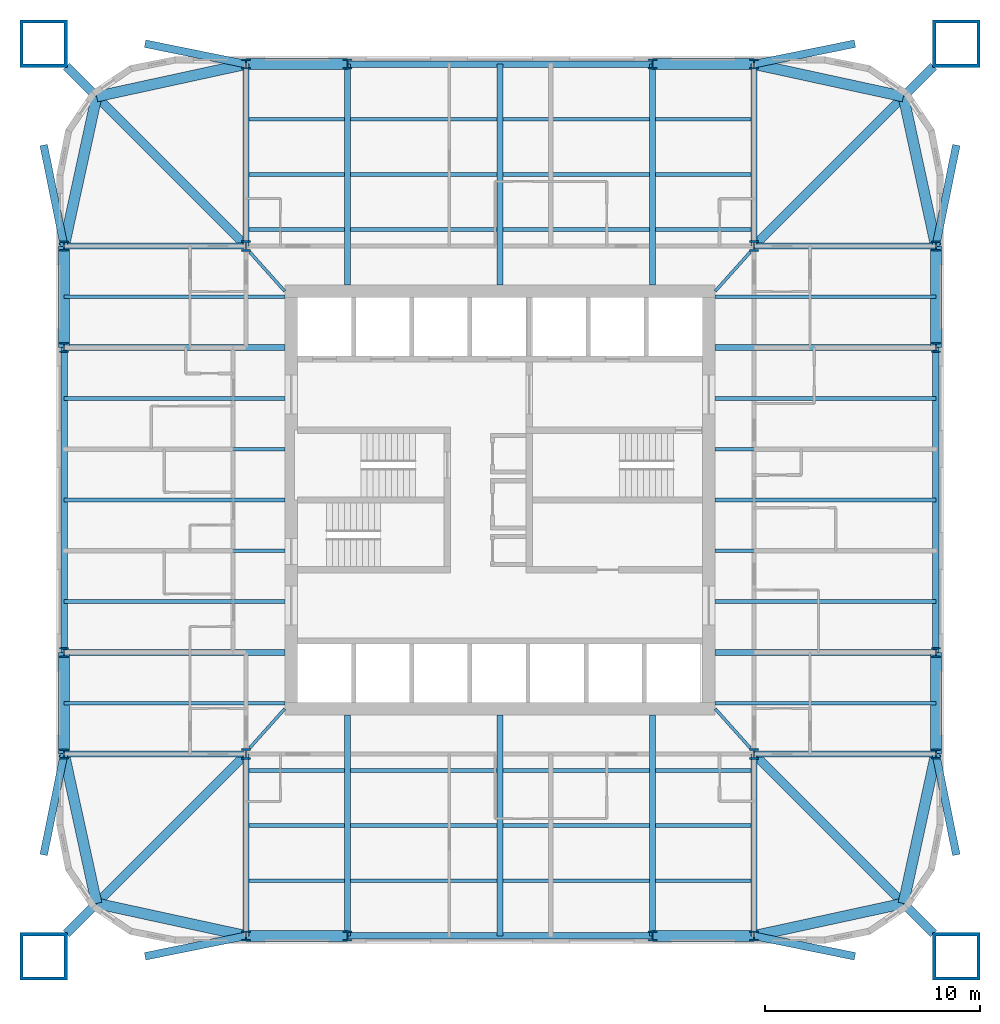
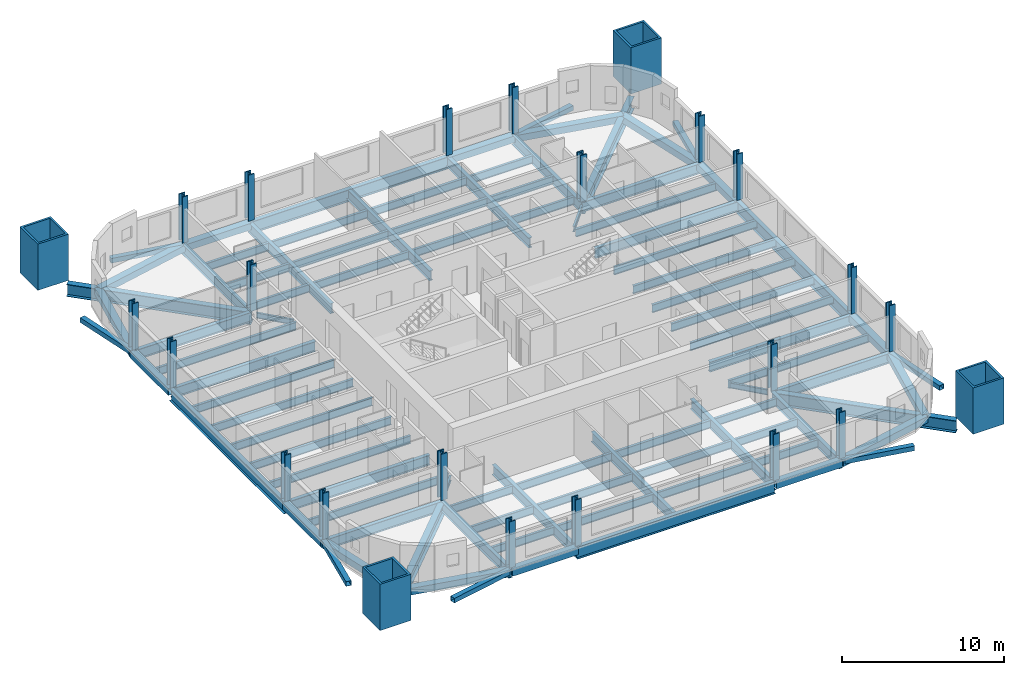
# One storey, part 1 of 9: 92 beams, 24 columns.
"""IFC4 building model written with IfcOpenShell, lengths in metres."""

import ifcopenshell
import ifcopenshell.guid

model = None  # the IFC model being written
_history = None  # IfcOwnerHistory: only IFC2X3 demands one
_inside = {}  # id of a spatial element -> (the spatial element, [elements in it])
_under = {}  # id of a project, library or spatial element -> (it, [spatial elements below it])
_declared = {}  # id of a project -> (the project, [libraries it declares])
_typed = {}  # id of a type object -> (the type object, [elements of that type])
_made_of = {}  # id of a material, layer set ... -> (it, [elements and type objects made of it])


def new_model(schema):
    """Start an empty IFC model of exactly this schema.

    Asked for "IFC4X3", IfcOpenShell would pick the latest addendum, in which some entities
    have other attributes; the version numbers below select the first issue.
    IFC2X3 requires an IfcOwnerHistory on every rooted entity: one is made here for all.
    """
    global model, _history
    if schema == "IFC4X3":
        model = ifcopenshell.file(schema_version=(4, 3, 0, 0))
    else:
        model = ifcopenshell.file(schema=schema)
    _inside.clear()
    _under.clear()
    _declared.clear()
    _typed.clear()
    _made_of.clear()
    _history = None
    if model.schema == "IFC2X3":
        org = make("IfcOrganization", Name="unknown")
        user = make(
            "IfcPersonAndOrganization",
            ThePerson=make("IfcPerson", FamilyName="unknown"),
            TheOrganization=org,
        )
        app = make(
            "IfcApplication",
            ApplicationDeveloper=org,
            Version="unknown",
            ApplicationFullName="unknown",
            ApplicationIdentifier="unknown",
        )
        _history = make(
            "IfcOwnerHistory",
            OwningUser=user,
            OwningApplication=app,
            ChangeAction="ADDED",
            CreationDate=0,
        )
    return model


def make(cls, **values):
    """One entity of the class cls with the attributes given. An attribute that is None is left unset."""
    return model.create_entity(
        cls, **{name: value for name, value in values.items() if value is not None}
    )


def rooted(cls, **values):
    """An entity with a GlobalId (a new one), such as an element, a storey or a relation."""
    return make(cls, GlobalId=ifcopenshell.guid.new(), OwnerHistory=_history, **values)


def si_unit(unit_type, name, prefix=None):
    """IfcSIUnit, for example si_unit("LENGTHUNIT", "METRE", prefix="MILLI")."""
    return make("IfcSIUnit", UnitType=unit_type, Prefix=prefix, Name=name)


def assignment(units):
    """IfcUnitAssignment: the units of a project."""
    return None if units is None else make("IfcUnitAssignment", Units=units)


def point(xyz):
    """IfcCartesianPoint."""
    return None if xyz is None else make("IfcCartesianPoint", Coordinates=xyz)


def direction(xyz):
    """IfcDirection."""
    return None if xyz is None else make("IfcDirection", DirectionRatios=xyz)


def frame(location, z_axis=None, x_axis=None):
    """IfcAxis2Placement3D, a coordinate frame: its origin and axes. An axis left out is left unset."""
    return make(
        "IfcAxis2Placement3D",
        Location=point(location),
        Axis=direction(z_axis),
        RefDirection=direction(x_axis),
    )


def frame_2d(location, x_axis=None):
    """IfcAxis2Placement2D, a coordinate frame in the plane: its origin and x axis."""
    return make(
        "IfcAxis2Placement2D", Location=point(location), RefDirection=direction(x_axis)
    )


def origin():
    """The frame at (0, 0, 0) with its axes left unset."""
    return frame((0.0, 0.0, 0.0))


def origin_2d():
    """The frame at (0, 0) in the plane with its x axis left unset."""
    return frame_2d((0.0, 0.0))


def place(relative_to, where):
    """IfcLocalPlacement: puts the frame where relative to a parent placement (None: the world)."""
    return make(
        "IfcLocalPlacement", PlacementRelTo=relative_to, RelativePlacement=where
    )


def context(
    kind, dimensions, precision=None, world=None, true_north=None, identifier=None
):
    """IfcGeometricRepresentationContext, for example the 3D "Model" context."""
    return make(
        "IfcGeometricRepresentationContext",
        ContextIdentifier=identifier,
        ContextType=kind,
        CoordinateSpaceDimension=dimensions,
        Precision=precision,
        WorldCoordinateSystem=world,
        TrueNorth=true_north,
    )


def subcontext(parent, identifier, kind, view, scale=None):
    """IfcGeometricRepresentationSubContext, for example "Body" below "Model"."""
    return make(
        "IfcGeometricRepresentationSubContext",
        ContextIdentifier=identifier,
        ContextType=kind,
        ParentContext=parent,
        TargetScale=scale,
        TargetView=view,
    )


def project(units=None, contexts=None):
    """IfcProject with its units and contexts."""
    return rooted(
        "IfcProject",
        Name="project",
        RepresentationContexts=contexts,
        UnitsInContext=assignment(units),
    )


def spatial(cls, under=None, at=None, **own):
    """A site, building, storey or space (cls), placed at a placement, below another one or the project."""
    s = rooted(cls, ObjectPlacement=at, **own)
    if under is not None:
        _under.setdefault(under.id(), (under, []))[1].append(s)
    return s


def profile(cls, at=None, kind="AREA", **sizes):
    """A parametric profile (cls). Its sizes go by their IFC names, for example OverallWidth=200.0."""
    return make(cls, ProfileType=kind, Position=at, **sizes)


def hollow_rectangle(**sizes):
    """IfcRectangleHollowProfileDef."""
    return profile("IfcRectangleHollowProfileDef", **sizes)


def i_section(**sizes):
    """IfcIShapeProfileDef."""
    return profile("IfcIShapeProfileDef", **sizes)


def extrude(swept, where, along, depth):
    """IfcExtrudedAreaSolid: the profile swept, set in the frame where, extruded along a direction by depth."""
    return make(
        "IfcExtrudedAreaSolid",
        SweptArea=swept,
        Position=where,
        ExtrudedDirection=direction(along),
        Depth=depth,
    )


def shape(context_of_items, identifier, shape_type, items):
    """IfcShapeRepresentation: the items that make up one representation, for example the "Body"."""
    return make(
        "IfcShapeRepresentation",
        ContextOfItems=context_of_items,
        RepresentationIdentifier=identifier,
        RepresentationType=shape_type,
        Items=items,
    )


def material(Name=None, Category=None):
    """IfcMaterial."""
    return make("IfcMaterial", Name=Name, Category=Category)


def material_profile(
    of_material, cross_section, Name=None, Category=None, Priority=None
):
    """IfcMaterialProfile: a cross section and its material."""
    return make(
        "IfcMaterialProfile",
        Name=Name,
        Material=of_material,
        Profile=cross_section,
        Priority=Priority,
        Category=Category,
    )


def profile_set(profiles, Name=None, composite=None):
    """IfcMaterialProfileSet."""
    return make(
        "IfcMaterialProfileSet",
        Name=Name,
        MaterialProfiles=profiles,
        CompositeProfile=composite,
    )


def made_of(thing, what):
    """Note that an element or type object is made of a material, layer set ...; save() writes the relation."""
    if what is not None:
        _made_of.setdefault(what.id(), (what, []))[1].append(thing)
    return thing


def type_object(cls, material=None, **own):
    """A type object (cls), such as IfcWallType, which elements share."""
    return made_of(rooted(cls, **own), material)


def element(
    cls,
    number,
    at=None,
    inside=None,
    cuts=None,
    type_object=None,
    material=None,
    context=None,
    identifier="Body",
    shape_type=None,
    held_by="IfcProductDefinitionShape",
    body=None,
    shapes=None,
    **own,
):
    """One element of the class cls, such as IfcWall. Its Tag is "e" and its number.

    at: its placement. inside: the storey or other place that contains it. cuts: it is an
    opening in that element (IfcRelVoidsElement). A single representation is given by context,
    identifier, shape_type and body (its items); several are given by shapes. held_by: the class
    of the entity that holds the representations. save() writes the other relations.
    """
    e = rooted(cls, Tag="e%d" % number, ObjectPlacement=at, **own)
    if body is not None:
        shapes = [shape(context, identifier, shape_type, body)]
    if shapes is not None:
        e.Representation = make(held_by, Representations=shapes)
    if inside is not None:
        _inside.setdefault(inside.id(), (inside, []))[1].append(e)
    if cuts is not None:
        rooted(
            "IfcRelVoidsElement", RelatingBuildingElement=cuts, RelatedOpeningElement=e
        )
    if type_object is not None:
        _typed.setdefault(type_object.id(), (type_object, []))[1].append(e)
    return made_of(e, material)


def aggregate(whole, parts):
    """IfcRelAggregates: a whole, such as a stair, and the parts it consists of."""
    return rooted("IfcRelAggregates", RelatingObject=whole, RelatedObjects=parts)


def save(model, path):
    """Write the relations noted so far, then the file.

    IfcRelAggregates (storeys below a building ...), IfcRelContainedInSpatialStructure (elements
    in a storey), IfcRelDefinesByType, IfcRelAssociatesMaterial and IfcRelDeclares: one each for
    every whole, place, type object, material and project.
    """
    for whole, parts in _under.values():
        aggregate(whole, parts)
    for where, things in _inside.values():
        rooted(
            "IfcRelContainedInSpatialStructure",
            RelatedElements=things,
            RelatingStructure=where,
        )
    for kind, things in _typed.values():
        rooted("IfcRelDefinesByType", RelatedObjects=things, RelatingType=kind)
    for what, things in _made_of.values():
        rooted("IfcRelAssociatesMaterial", RelatedObjects=things, RelatingMaterial=what)
    for by, libraries in _declared.values():
        rooted("IfcRelDeclares", RelatingContext=by, RelatedDefinitions=libraries)
    model.write(path)


model = new_model("IFC4")

# Units and contexts
model_context = context("Model", 3, precision=1e-05, world=origin(), true_north=direction((0.0, 1.0)))
body_context = subcontext(model_context, "Body", "Model", "MODEL_VIEW")
ifc_project = project(units=[si_unit("LENGTHUNIT", "METRE"), si_unit("AREAUNIT", "SQUARE_METRE"), si_unit("VOLUMEUNIT", "CUBIC_METRE"), si_unit("PLANEANGLEUNIT", "RADIAN"), si_unit("MASSUNIT", "GRAM", prefix="KILO")], contexts=[model_context])

# Site, building, storey
site_placement = place(None, origin())
site = spatial("IfcSite", under=ifc_project, at=site_placement, CompositionType="ELEMENT")
building_placement = place(site_placement, origin())
building = spatial("IfcBuilding", under=site, at=building_placement, Name="Turquesa Mirador Hotel Tower", CompositionType="ELEMENT")
storey_placement = place(building_placement, frame((0.0, 0.0, 149.39990234375)))
storey = spatial("IfcBuildingStorey", under=building, at=storey_placement, Name="L40", CompositionType="ELEMENT", Elevation=149.39990234375)

# Columns
ifc_material_1 = material(Name="Steel ASTM A992 Grade 50", Category="steel")
ifc_material_profile_1 = material_profile(ifc_material_1, i_section(OverallWidth=0.421630859375, OverallDepth=0.46484375, WebThickness=0.044921875, FlangeThickness=0.072509765625, at=origin_2d()), Name="W14X398")
ifc_profile_set_1 = profile_set([ifc_material_profile_1], Name="Steel ASTM A992 Grade 50")
column_type_1 = type_object("IfcColumnType", Name="COLUMN W14X398", PredefinedType="COLUMN", material=ifc_profile_set_1)
for number, where, z_axis, x_axis, name in (
    (1, (34.75, 33.199951171875, 0.0), (0.0, 0.0, 1.0), (1.0, 0.0, 0.0), "COL-L40-P--20.25--11.80"),
    (2, (34.75, 37.919921875, 0.0), (0.0, 0.0, 1.0), (1.0, 0.0, 0.0), "COL-L40-P--20.25--7.08"),
    (3, (34.75, 52.080078125, 0.0), (0.0, 0.0, 1.0), (1.0, 0.0, 0.0), "COL-L40-P--20.25-+7.08"),
    (4, (34.75, 56.800048828125, 0.0), (0.0, 0.0, 1.0), (1.0, 0.0, 0.0), "COL-L40-P--20.25-+11.80"),
    (5, (43.199951171875, 24.75, 0.0), (0.0, 0.0, 1.0), (1.0, 0.0, 0.0), "COL-L40-P--11.80--20.25"),
    (6, (43.199951171875, 65.25, 0.0), (0.0, 0.0, 1.0), (1.0, 0.0, 0.0), "COL-L40-P--11.80-+20.25"),
    (7, (47.919921875, 24.75, 0.0), (0.0, 0.0, 1.0), (1.0, 0.0, 0.0), "COL-L40-P--7.08--20.25"),
    (8, (47.919921875, 65.25, 0.0), (0.0, 0.0, 1.0), (1.0, 0.0, 0.0), "COL-L40-P--7.08-+20.25"),
    (9, (62.080078125, 24.75, 0.0), (0.0, 0.0, 1.0), (1.0, 0.0, 0.0), "COL-L40-P-+7.08--20.25"),
    (10, (62.080078125, 65.25, 0.0), (0.0, 0.0, 1.0), (1.0, 0.0, 0.0), "COL-L40-P-+7.08-+20.25"),
    (11, (66.800048828125, 24.75, 0.0), (0.0, 0.0, 1.0), (1.0, 0.0, 0.0), "COL-L40-P-+11.80--20.25"),
    (12, (66.800048828125, 65.25, 0.0), (0.0, 0.0, 1.0), (1.0, 0.0, 0.0), "COL-L40-P-+11.80-+20.25"),
    (13, (75.25, 33.199951171875, 0.0), (0.0, 0.0, 1.0), (1.0, 0.0, 0.0), "COL-L40-P-+20.25--11.80"),
    (14, (75.25, 37.919921875, 0.0), (0.0, 0.0, 1.0), (1.0, 0.0, 0.0), "COL-L40-P-+20.25--7.08"),
    (15, (75.25, 52.080078125, 0.0), (0.0, 0.0, 1.0), (1.0, 0.0, 0.0), "COL-L40-P-+20.25-+7.08"),
    (16, (75.25, 56.800048828125, 0.0), (0.0, 0.0, 1.0), (1.0, 0.0, 0.0), "COL-L40-P-+20.25-+11.80"),
):
    element("IfcColumn", number, at=place(storey_placement, frame(where, z_axis=z_axis, x_axis=x_axis)), inside=storey, type_object=column_type_1, Name=name, PredefinedType="COLUMN", context=body_context, shape_type="SweptSolid", body=[
        extrude(i_section(OverallWidth=0.421630859375, OverallDepth=0.46484375, WebThickness=0.044921875, FlangeThickness=0.072509765625, at=origin_2d()), origin(), (0.0, 0.0, 1.0), 3.5),
    ])
ifc_material_2 = material(Name="Steel ASTM A992 Grade 50", Category="steel")
ifc_material_profile_2 = material_profile(ifc_material_2, i_section(OverallWidth=0.431884765625, OverallDepth=0.497802734375, WebThickness=0.0556640625, FlangeThickness=0.0888671875, at=origin_2d()), Name="W14X500")
ifc_profile_set_2 = profile_set([ifc_material_profile_2], Name="Steel ASTM A992 Grade 50")
column_type_2 = type_object("IfcColumnType", Name="COLUMN W14X500", PredefinedType="COLUMN", material=ifc_profile_set_2)
for number, where, z_axis, x_axis, name in (
    (17, (43.199951171875, 33.199951171875, 0.0), (0.0, 0.0, 1.0), (1.0, 0.0, 0.0), "COL-L40-K--11.80--11.80"),
    (18, (43.199951171875, 56.800048828125, 0.0), (0.0, 0.0, 1.0), (1.0, 0.0, 0.0), "COL-L40-K--11.80-+11.80"),
    (19, (66.800048828125, 33.199951171875, 0.0), (0.0, 0.0, 1.0), (1.0, 0.0, 0.0), "COL-L40-K-+11.80--11.80"),
    (20, (66.800048828125, 56.800048828125, 0.0), (0.0, 0.0, 1.0), (1.0, 0.0, 0.0), "COL-L40-K-+11.80-+11.80"),
):
    element("IfcColumn", number, at=place(storey_placement, frame(where, z_axis=z_axis, x_axis=x_axis)), inside=storey, type_object=column_type_2, Name=name, PredefinedType="COLUMN", context=body_context, shape_type="SweptSolid", body=[
        extrude(i_section(OverallWidth=0.431884765625, OverallDepth=0.497802734375, WebThickness=0.0556640625, FlangeThickness=0.0888671875, at=origin_2d()), origin(), (0.0, 0.0, 1.0), 3.5),
    ])
ifc_material_3 = material(Name="Steel ASTM A514 Grade Q", Category="steel")
ifc_material_profile_3 = material_profile(ifc_material_3, hollow_rectangle(XDim=2.199951171875, YDim=2.199951171875, WallThickness=0.14990234375, at=origin_2d()), Name="BOX2200X2200X150")
ifc_profile_set_3 = profile_set([ifc_material_profile_3], Name="Steel ASTM A514 Grade Q")
column_type_3 = type_object("IfcColumnType", Name="MEGA COLUMN BOX2200X2200X150", PredefinedType="COLUMN", material=ifc_profile_set_3)
for number, where, z_axis, x_axis, name in (
    (21, (76.199951171875, 66.199951171875, 0.0), (0.0, 0.0, 1.0), (1.0, 0.0, 0.0), "Mega column M1"),
    (22, (33.800048828125, 66.199951171875, 0.0), (0.0, 0.0, 1.0), (1.0, 0.0, 0.0), "Mega column M2"),
    (23, (33.800048828125, 23.800048828125, 0.0), (0.0, 0.0, 1.0), (1.0, 0.0, 0.0), "Mega column M3"),
    (24, (76.199951171875, 23.800048828125, 0.0), (0.0, 0.0, 1.0), (1.0, 0.0, 0.0), "Mega column M4"),
):
    element("IfcColumn", number, at=place(storey_placement, frame(where, z_axis=z_axis, x_axis=x_axis)), inside=storey, type_object=column_type_3, Name=name, PredefinedType="COLUMN", context=body_context, shape_type="SweptSolid", body=[
        extrude(hollow_rectangle(XDim=2.199951171875, YDim=2.199951171875, WallThickness=0.14990234375, at=origin_2d()), origin(), (0.0, 0.0, 1.0), 3.5),
    ])

# Beams
ifc_material_4 = material(Name="Steel ASTM A572 Grade 50", Category="steel")
ifc_material_profile_4 = material_profile(ifc_material_4, hollow_rectangle(XDim=0.5, YDim=0.5, WallThickness=0.01611328125, at=origin_2d()), Name="BOX500X500X16")
ifc_profile_set_4 = profile_set([ifc_material_profile_4], Name="Steel ASTM A572 Grade 50")
beam_type_1 = type_object("IfcBeamType", Name="BEAM BOX500X500X16", PredefinedType="BEAM", material=ifc_profile_set_4)
for number, where, z_axis, x_axis, name in (
    (25, (43.199951171875, 65.25, -0.419921875), (1.0, 0.0, 0.0), (0.0, 1.0, 0.0), "EB-L40-N-L"),
    (26, (62.080078125, 65.25, -0.419921875), (1.0, 0.0, 0.0), (0.0, 1.0, 0.0), "EB-L40-N-R"),
    (27, (43.199951171875, 24.75, -0.419921875), (1.0, 0.0, 0.0), (0.0, 1.0, 0.0), "EB-L40-S-L"),
    (28, (62.080078125, 24.75, -0.419921875), (1.0, 0.0, 0.0), (0.0, 1.0, 0.0), "EB-L40-S-R"),
    (29, (75.25, 33.199951171875, -0.419921875), (0.0, 1.0, 0.0), (-1.0, 0.0, 0.0), "EB-L40-E-L"),
    (30, (75.25, 52.080078125, -0.419921875), (0.0, 1.0, 0.0), (-1.0, 0.0, 0.0), "EB-L40-E-R"),
    (31, (34.75, 33.199951171875, -0.419921875), (0.0, 1.0, 0.0), (-1.0, 0.0, 0.0), "EB-L40-W-L"),
    (32, (34.75, 52.080078125, -0.419921875), (0.0, 1.0, 0.0), (-1.0, 0.0, 0.0), "EB-L40-W-R"),
):
    element("IfcBeam", number, at=place(storey_placement, frame(where, z_axis=z_axis, x_axis=x_axis)), inside=storey, type_object=beam_type_1, Name=name, PredefinedType="BEAM", context=body_context, shape_type="SweptSolid", body=[
        extrude(hollow_rectangle(XDim=0.5, YDim=0.5, WallThickness=0.01611328125, at=origin_2d()), origin(), (0.0, 0.0, 1.0), 4.719970703125),
    ])
for number, where, z_axis, x_axis, name in (
    (33, (75.25, 56.800048828125, -0.419921875), (-0.212328336885, 0.977198381781, 0.0), (-0.977198381781, -0.212328336885, 0.0), "KE-L40-1-0"),
    (34, (73.74169921875, 63.74169921875, -0.419921875), (-0.977198381781, 0.212328336885, 0.0), (-0.212328336885, -0.977198381781, 0.0), "KE-L40-1-1"),
    (35, (34.75, 56.800048828125, -0.419921875), (0.212328336885, 0.977198381781, 0.0), (-0.977198381781, 0.212328336885, 0.0), "KE-L40-2-0"),
    (36, (36.25830078125, 63.74169921875, -0.419921875), (0.977198381781, 0.212328336885, 0.0), (-0.212328336885, 0.977198381781, 0.0), "KE-L40-2-1"),
    (37, (34.75, 33.199951171875, -0.419921875), (0.212328336885, -0.977198381781, 0.0), (0.977198381781, 0.212328336885, 0.0), "KE-L40-3-0"),
    (38, (36.25830078125, 26.25830078125, -0.419921875), (0.977198381781, -0.212328336885, 0.0), (0.212328336885, 0.977198381781, 0.0), "KE-L40-3-1"),
    (39, (75.25, 33.199951171875, -0.419921875), (-0.212328336885, -0.977198381781, 0.0), (0.977198381781, -0.212328336885, 0.0), "KE-L40-4-0"),
    (40, (73.74169921875, 26.25830078125, -0.419921875), (-0.977198381781, -0.212328336885, 0.0), (0.212328336885, -0.977198381781, 0.0), "KE-L40-4-1"),
):
    element("IfcBeam", number, at=place(storey_placement, frame(where, z_axis=z_axis, x_axis=x_axis)), inside=storey, type_object=beam_type_1, Name=name, PredefinedType="BEAM", context=body_context, shape_type="SweptSolid", body=[
        extrude(hollow_rectangle(XDim=0.5, YDim=0.5, WallThickness=0.01611328125, at=origin_2d()), origin(), (0.0, 0.0, 1.0), 7.103515625),
    ])
ifc_material_5 = material(Name="Steel ASTM A992 Grade 50", Category="steel")
ifc_material_profile_5 = material_profile(ifc_material_5, i_section(OverallWidth=0.140380859375, OverallDepth=0.40380859375, WebThickness=0.007080078125, FlangeThickness=0.01123046875, at=origin_2d()), Name="W16X31")
ifc_profile_set_5 = profile_set([ifc_material_profile_5], Name="Steel ASTM A992 Grade 50")
beam_type_2 = type_object("IfcBeamType", Name="BEAM W16X31", PredefinedType="BEAM", material=ifc_profile_set_5)
for number, where, z_axis, x_axis, name in (
    (41, (66.626953125, 56.518310546875, -0.371826171875), (-0.66679485947, -0.745241313525, 0.0), (0.745241313525, -0.66679485947, 0.0), "KT-L40-1"),
    (42, (43.373046875, 56.518310546875, -0.371826171875), (0.66679485947, -0.745241313525, 0.0), (0.745241313525, 0.66679485947, 0.0), "KT-L40-2"),
    (43, (43.373046875, 33.481689453125, -0.371826171875), (0.66679485947, 0.745241313525, 0.0), (-0.745241313525, 0.66679485947, 0.0), "KT-L40-3"),
    (44, (66.626953125, 33.481689453125, -0.371826171875), (-0.66679485947, 0.745241313525, 0.0), (-0.745241313525, -0.66679485947, 0.0), "KT-L40-4"),
):
    element("IfcBeam", number, at=place(storey_placement, frame(where, z_axis=z_axis, x_axis=x_axis)), inside=storey, type_object=beam_type_2, Name=name, PredefinedType="BEAM", context=body_context, shape_type="SweptSolid", body=[
        extrude(i_section(OverallWidth=0.140380859375, OverallDepth=0.40380859375, WebThickness=0.007080078125, FlangeThickness=0.01123046875, at=origin_2d()), origin(), (0.0, 0.0, 1.0), 2.43994140625),
    ])
ifc_material_6 = material(Name="Steel ASTM A992 Grade 50", Category="steel")
ifc_material_profile_6 = material_profile(ifc_material_6, i_section(OverallWidth=0.177978515625, OverallDepth=0.599365234375, WebThickness=0.010009765625, FlangeThickness=0.012939453125, at=origin_2d()), Name="W24X55")
ifc_profile_set_6 = profile_set([ifc_material_profile_6], Name="Steel ASTM A992 Grade 50")
beam_type_3 = type_object("IfcBeamType", Name="BEAM W24X55", PredefinedType="BEAM", material=ifc_profile_set_6)
beam_1_placement = place(storey_placement, frame((43.333251953125, 57.56201171875, -0.4697265625), z_axis=(1.0, 0.0, 0.0), x_axis=(0.0, 1.0, 0.0)))
element("IfcBeam", 45, at=beam_1_placement, inside=storey, type_object=beam_type_3, Name="IB-L40-N-1-0", PredefinedType="BEAM", context=body_context, shape_type="SweptSolid", body=[
    extrude(i_section(OverallWidth=0.177978515625, OverallDepth=0.599365234375, WebThickness=0.010009765625, FlangeThickness=0.012939453125, at=origin_2d()), origin(), (0.0, 0.0, 1.0), 4.453369140625),
])
for number, where, z_axis, x_axis, name in (
    (46, (48.053466796875, 57.56201171875, -0.4697265625), (1.0, 0.0, 0.0), (0.0, 1.0, 0.0), "IB-L40-N-1-1"),
    (47, (55.13330078125, 57.56201171875, -0.4697265625), (1.0, 0.0, 0.0), (0.0, 1.0, 0.0), "IB-L40-N-1-2"),
):
    element("IfcBeam", number, at=place(storey_placement, frame(where, z_axis=z_axis, x_axis=x_axis)), inside=storey, type_object=beam_type_3, Name=name, PredefinedType="BEAM", context=body_context, shape_type="SweptSolid", body=[
        extrude(i_section(OverallWidth=0.177978515625, OverallDepth=0.599365234375, WebThickness=0.010009765625, FlangeThickness=0.012939453125, at=origin_2d()), origin(), (0.0, 0.0, 1.0), 6.813232421875),
    ])
for number, where, z_axis, x_axis, name in (
    (48, (62.21337890625, 57.56201171875, -0.4697265625), (1.0, 0.0, 0.0), (0.0, 1.0, 0.0), "IB-L40-N-1-3"),
    (49, (43.333251953125, 60.125, -0.4697265625), (1.0, 0.0, 0.0), (0.0, 1.0, 0.0), "IB-L40-N-2-0"),
):
    element("IfcBeam", number, at=place(storey_placement, frame(where, z_axis=z_axis, x_axis=x_axis)), inside=storey, type_object=beam_type_3, Name=name, PredefinedType="BEAM", context=body_context, shape_type="SweptSolid", body=[
        extrude(i_section(OverallWidth=0.177978515625, OverallDepth=0.599365234375, WebThickness=0.010009765625, FlangeThickness=0.012939453125, at=origin_2d()), origin(), (0.0, 0.0, 1.0), 4.453369140625),
    ])
for number, where, z_axis, x_axis, name in (
    (50, (48.053466796875, 60.125, -0.4697265625), (1.0, 0.0, 0.0), (0.0, 1.0, 0.0), "IB-L40-N-2-1"),
    (51, (55.13330078125, 60.125, -0.4697265625), (1.0, 0.0, 0.0), (0.0, 1.0, 0.0), "IB-L40-N-2-2"),
):
    element("IfcBeam", number, at=place(storey_placement, frame(where, z_axis=z_axis, x_axis=x_axis)), inside=storey, type_object=beam_type_3, Name=name, PredefinedType="BEAM", context=body_context, shape_type="SweptSolid", body=[
        extrude(i_section(OverallWidth=0.177978515625, OverallDepth=0.599365234375, WebThickness=0.010009765625, FlangeThickness=0.012939453125, at=origin_2d()), origin(), (0.0, 0.0, 1.0), 6.813232421875),
    ])
for number, where, z_axis, x_axis, name in (
    (52, (62.21337890625, 60.125, -0.4697265625), (1.0, 0.0, 0.0), (0.0, 1.0, 0.0), "IB-L40-N-2-3"),
    (53, (43.333251953125, 62.68798828125, -0.4697265625), (1.0, 0.0, 0.0), (0.0, 1.0, 0.0), "IB-L40-N-3-0"),
):
    element("IfcBeam", number, at=place(storey_placement, frame(where, z_axis=z_axis, x_axis=x_axis)), inside=storey, type_object=beam_type_3, Name=name, PredefinedType="BEAM", context=body_context, shape_type="SweptSolid", body=[
        extrude(i_section(OverallWidth=0.177978515625, OverallDepth=0.599365234375, WebThickness=0.010009765625, FlangeThickness=0.012939453125, at=origin_2d()), origin(), (0.0, 0.0, 1.0), 4.453369140625),
    ])
for number, where, z_axis, x_axis, name in (
    (54, (48.053466796875, 62.68798828125, -0.4697265625), (1.0, 0.0, 0.0), (0.0, 1.0, 0.0), "IB-L40-N-3-1"),
    (55, (55.13330078125, 62.68798828125, -0.4697265625), (1.0, 0.0, 0.0), (0.0, 1.0, 0.0), "IB-L40-N-3-2"),
):
    element("IfcBeam", number, at=place(storey_placement, frame(where, z_axis=z_axis, x_axis=x_axis)), inside=storey, type_object=beam_type_3, Name=name, PredefinedType="BEAM", context=body_context, shape_type="SweptSolid", body=[
        extrude(i_section(OverallWidth=0.177978515625, OverallDepth=0.599365234375, WebThickness=0.010009765625, FlangeThickness=0.012939453125, at=origin_2d()), origin(), (0.0, 0.0, 1.0), 6.813232421875),
    ])
for number, where, z_axis, x_axis, name in (
    (56, (62.21337890625, 62.68798828125, -0.4697265625), (1.0, 0.0, 0.0), (0.0, 1.0, 0.0), "IB-L40-N-3-3"),
    (57, (43.333251953125, 32.43798828125, -0.4697265625), (1.0, 0.0, 0.0), (0.0, 1.0, 0.0), "IB-L40-S-1-0"),
):
    element("IfcBeam", number, at=place(storey_placement, frame(where, z_axis=z_axis, x_axis=x_axis)), inside=storey, type_object=beam_type_3, Name=name, PredefinedType="BEAM", context=body_context, shape_type="SweptSolid", body=[
        extrude(i_section(OverallWidth=0.177978515625, OverallDepth=0.599365234375, WebThickness=0.010009765625, FlangeThickness=0.012939453125, at=origin_2d()), origin(), (0.0, 0.0, 1.0), 4.453369140625),
    ])
for number, where, z_axis, x_axis, name in (
    (58, (48.053466796875, 32.43798828125, -0.4697265625), (1.0, 0.0, 0.0), (0.0, 1.0, 0.0), "IB-L40-S-1-1"),
    (59, (55.13330078125, 32.43798828125, -0.4697265625), (1.0, 0.0, 0.0), (0.0, 1.0, 0.0), "IB-L40-S-1-2"),
):
    element("IfcBeam", number, at=place(storey_placement, frame(where, z_axis=z_axis, x_axis=x_axis)), inside=storey, type_object=beam_type_3, Name=name, PredefinedType="BEAM", context=body_context, shape_type="SweptSolid", body=[
        extrude(i_section(OverallWidth=0.177978515625, OverallDepth=0.599365234375, WebThickness=0.010009765625, FlangeThickness=0.012939453125, at=origin_2d()), origin(), (0.0, 0.0, 1.0), 6.813232421875),
    ])
for number, where, z_axis, x_axis, name in (
    (60, (62.21337890625, 32.43798828125, -0.4697265625), (1.0, 0.0, 0.0), (0.0, 1.0, 0.0), "IB-L40-S-1-3"),
    (61, (43.333251953125, 29.875, -0.4697265625), (1.0, 0.0, 0.0), (0.0, 1.0, 0.0), "IB-L40-S-2-0"),
):
    element("IfcBeam", number, at=place(storey_placement, frame(where, z_axis=z_axis, x_axis=x_axis)), inside=storey, type_object=beam_type_3, Name=name, PredefinedType="BEAM", context=body_context, shape_type="SweptSolid", body=[
        extrude(i_section(OverallWidth=0.177978515625, OverallDepth=0.599365234375, WebThickness=0.010009765625, FlangeThickness=0.012939453125, at=origin_2d()), origin(), (0.0, 0.0, 1.0), 4.453369140625),
    ])
for number, where, z_axis, x_axis, name in (
    (62, (48.053466796875, 29.875, -0.4697265625), (1.0, 0.0, 0.0), (0.0, 1.0, 0.0), "IB-L40-S-2-1"),
    (63, (55.13330078125, 29.875, -0.4697265625), (1.0, 0.0, 0.0), (0.0, 1.0, 0.0), "IB-L40-S-2-2"),
):
    element("IfcBeam", number, at=place(storey_placement, frame(where, z_axis=z_axis, x_axis=x_axis)), inside=storey, type_object=beam_type_3, Name=name, PredefinedType="BEAM", context=body_context, shape_type="SweptSolid", body=[
        extrude(i_section(OverallWidth=0.177978515625, OverallDepth=0.599365234375, WebThickness=0.010009765625, FlangeThickness=0.012939453125, at=origin_2d()), origin(), (0.0, 0.0, 1.0), 6.813232421875),
    ])
for number, where, z_axis, x_axis, name in (
    (64, (62.21337890625, 29.875, -0.4697265625), (1.0, 0.0, 0.0), (0.0, 1.0, 0.0), "IB-L40-S-2-3"),
    (65, (43.333251953125, 27.31201171875, -0.4697265625), (1.0, 0.0, 0.0), (0.0, 1.0, 0.0), "IB-L40-S-3-0"),
):
    element("IfcBeam", number, at=place(storey_placement, frame(where, z_axis=z_axis, x_axis=x_axis)), inside=storey, type_object=beam_type_3, Name=name, PredefinedType="BEAM", context=body_context, shape_type="SweptSolid", body=[
        extrude(i_section(OverallWidth=0.177978515625, OverallDepth=0.599365234375, WebThickness=0.010009765625, FlangeThickness=0.012939453125, at=origin_2d()), origin(), (0.0, 0.0, 1.0), 4.453369140625),
    ])
for number, where, z_axis, x_axis, name in (
    (66, (48.053466796875, 27.31201171875, -0.4697265625), (1.0, 0.0, 0.0), (0.0, 1.0, 0.0), "IB-L40-S-3-1"),
    (67, (55.13330078125, 27.31201171875, -0.4697265625), (1.0, 0.0, 0.0), (0.0, 1.0, 0.0), "IB-L40-S-3-2"),
):
    element("IfcBeam", number, at=place(storey_placement, frame(where, z_axis=z_axis, x_axis=x_axis)), inside=storey, type_object=beam_type_3, Name=name, PredefinedType="BEAM", context=body_context, shape_type="SweptSolid", body=[
        extrude(i_section(OverallWidth=0.177978515625, OverallDepth=0.599365234375, WebThickness=0.010009765625, FlangeThickness=0.012939453125, at=origin_2d()), origin(), (0.0, 0.0, 1.0), 6.813232421875),
    ])
beam_2_placement = place(storey_placement, frame((62.21337890625, 27.31201171875, -0.4697265625), z_axis=(1.0, 0.0, 0.0), x_axis=(0.0, 1.0, 0.0)))
element("IfcBeam", 68, at=beam_2_placement, inside=storey, type_object=beam_type_3, Name="IB-L40-S-3-3", PredefinedType="BEAM", context=body_context, shape_type="SweptSolid", body=[
    extrude(i_section(OverallWidth=0.177978515625, OverallDepth=0.599365234375, WebThickness=0.010009765625, FlangeThickness=0.012939453125, at=origin_2d()), origin(), (0.0, 0.0, 1.0), 4.453369140625),
])
for number, where, z_axis, x_axis, name in (
    (69, (75.25, 35.56005859375, -0.4697265625), (-1.0, 0.0, 0.0), (0.0, -1.0, 0.0), "BM-L40-E--9.44"),
    (70, (75.25, 40.280029296875, -0.4697265625), (-1.0, 0.0, 0.0), (0.0, -1.0, 0.0), "BM-L40-E--4.72"),
    (71, (75.25, 42.639892578125, -0.4697265625), (-1.0, 0.0, 0.0), (0.0, -1.0, 0.0), "BM-L40-E--2.36"),
    (72, (75.25, 45.0, -0.4697265625), (-1.0, 0.0, 0.0), (0.0, -1.0, 0.0), "BM-L40-E-+0.00"),
    (73, (75.25, 47.360107421875, -0.4697265625), (-1.0, 0.0, 0.0), (0.0, -1.0, 0.0), "BM-L40-E-+2.36"),
    (74, (75.25, 49.719970703125, -0.4697265625), (-1.0, 0.0, 0.0), (0.0, -1.0, 0.0), "BM-L40-E-+4.72"),
    (75, (75.25, 54.43994140625, -0.4697265625), (-1.0, 0.0, 0.0), (0.0, -1.0, 0.0), "BM-L40-E-+9.44"),
    (76, (34.75, 35.56005859375, -0.4697265625), (1.0, 0.0, 0.0), (0.0, 1.0, 0.0), "BM-L40-W--9.44"),
    (77, (34.75, 40.280029296875, -0.4697265625), (1.0, 0.0, 0.0), (0.0, 1.0, 0.0), "BM-L40-W--4.72"),
    (78, (34.75, 42.639892578125, -0.4697265625), (1.0, 0.0, 0.0), (0.0, 1.0, 0.0), "BM-L40-W--2.36"),
    (79, (34.75, 45.0, -0.4697265625), (1.0, 0.0, 0.0), (0.0, 1.0, 0.0), "BM-L40-W-+0.00"),
    (80, (34.75, 47.360107421875, -0.4697265625), (1.0, 0.0, 0.0), (0.0, 1.0, 0.0), "BM-L40-W-+2.36"),
    (81, (34.75, 49.719970703125, -0.4697265625), (1.0, 0.0, 0.0), (0.0, 1.0, 0.0), "BM-L40-W-+4.72"),
    (82, (34.75, 54.43994140625, -0.4697265625), (1.0, 0.0, 0.0), (0.0, 1.0, 0.0), "BM-L40-W-+9.44"),
):
    element("IfcBeam", number, at=place(storey_placement, frame(where, z_axis=z_axis, x_axis=x_axis)), inside=storey, type_object=beam_type_3, Name=name, PredefinedType="BEAM", context=body_context, shape_type="SweptSolid", body=[
        extrude(i_section(OverallWidth=0.177978515625, OverallDepth=0.599365234375, WebThickness=0.010009765625, FlangeThickness=0.012939453125, at=origin_2d()), origin(), (0.0, 0.0, 1.0), 10.25),
    ])
ifc_material_7 = material(Name="Steel ASTM A992 Grade 50", Category="steel")
ifc_material_profile_7 = material_profile(ifc_material_7, i_section(OverallWidth=0.2666015625, OverallDepth=0.7568359375, WebThickness=0.013916015625, FlangeThickness=0.019287109375, at=origin_2d()), Name="W30X108")
ifc_profile_set_7 = profile_set([ifc_material_profile_7], Name="Steel ASTM A992 Grade 50")
beam_type_4 = type_object("IfcBeamType", Name="BEAM W30X108", PredefinedType="BEAM", material=ifc_profile_set_7)
for number, where, z_axis, x_axis, name in (
    (83, (47.919921875, 65.25, -0.54833984375), (0.0, -1.0, 0.0), (1.0, 0.0, 0.0), "GD-L40-N--7.08"),
    (84, (62.080078125, 65.25, -0.54833984375), (0.0, -1.0, 0.0), (1.0, 0.0, 0.0), "GD-L40-N-+7.08"),
    (85, (55.0, 65.25, -0.54833984375), (0.0, -1.0, 0.0), (1.0, 0.0, 0.0), "GD-L40-N-+0.00"),
):
    element("IfcBeam", number, at=place(storey_placement, frame(where, z_axis=z_axis, x_axis=x_axis)), inside=storey, type_object=beam_type_4, Name=name, PredefinedType="BEAM", context=body_context, shape_type="SweptSolid", body=[
        extrude(i_section(OverallWidth=0.2666015625, OverallDepth=0.7568359375, WebThickness=0.013916015625, FlangeThickness=0.019287109375, at=origin_2d()), origin(), (0.0, 0.0, 1.0), 10.25),
    ])
for number, where, z_axis, x_axis, name in (
    (86, (43.199951171875, 65.25, -0.54833984375), (0.0, -1.0, 0.0), (1.0, 0.0, 0.0), "GK-L40-N--11.80"),
    (87, (66.800048828125, 65.25, -0.54833984375), (0.0, -1.0, 0.0), (1.0, 0.0, 0.0), "GK-L40-N-+11.80"),
):
    element("IfcBeam", number, at=place(storey_placement, frame(where, z_axis=z_axis, x_axis=x_axis)), inside=storey, type_object=beam_type_4, Name=name, PredefinedType="BEAM", context=body_context, shape_type="SweptSolid", body=[
        extrude(i_section(OverallWidth=0.2666015625, OverallDepth=0.7568359375, WebThickness=0.013916015625, FlangeThickness=0.019287109375, at=origin_2d()), origin(), (0.0, 0.0, 1.0), 8.449951171875),
    ])
for number, where, z_axis, x_axis, name in (
    (88, (47.919921875, 24.75, -0.54833984375), (0.0, 1.0, 0.0), (-1.0, 0.0, 0.0), "GD-L40-S--7.08"),
    (89, (62.080078125, 24.75, -0.54833984375), (0.0, 1.0, 0.0), (-1.0, 0.0, 0.0), "GD-L40-S-+7.08"),
    (90, (55.0, 24.75, -0.54833984375), (0.0, 1.0, 0.0), (-1.0, 0.0, 0.0), "GD-L40-S-+0.00"),
):
    element("IfcBeam", number, at=place(storey_placement, frame(where, z_axis=z_axis, x_axis=x_axis)), inside=storey, type_object=beam_type_4, Name=name, PredefinedType="BEAM", context=body_context, shape_type="SweptSolid", body=[
        extrude(i_section(OverallWidth=0.2666015625, OverallDepth=0.7568359375, WebThickness=0.013916015625, FlangeThickness=0.019287109375, at=origin_2d()), origin(), (0.0, 0.0, 1.0), 10.25),
    ])
for number, where, z_axis, x_axis, name in (
    (91, (43.199951171875, 24.75, -0.54833984375), (0.0, 1.0, 0.0), (-1.0, 0.0, 0.0), "GK-L40-S--11.80"),
    (92, (66.800048828125, 24.75, -0.54833984375), (0.0, 1.0, 0.0), (-1.0, 0.0, 0.0), "GK-L40-S-+11.80"),
):
    element("IfcBeam", number, at=place(storey_placement, frame(where, z_axis=z_axis, x_axis=x_axis)), inside=storey, type_object=beam_type_4, Name=name, PredefinedType="BEAM", context=body_context, shape_type="SweptSolid", body=[
        extrude(i_section(OverallWidth=0.2666015625, OverallDepth=0.7568359375, WebThickness=0.013916015625, FlangeThickness=0.019287109375, at=origin_2d()), origin(), (0.0, 0.0, 1.0), 8.449951171875),
    ])
for number, where, z_axis, x_axis, name in (
    (93, (75.25, 37.919921875, -0.54833984375), (-1.0, 0.0, 0.0), (0.0, -1.0, 0.0), "GD-L40-E--7.08"),
    (94, (75.25, 52.080078125, -0.54833984375), (-1.0, 0.0, 0.0), (0.0, -1.0, 0.0), "GD-L40-E-+7.08"),
):
    element("IfcBeam", number, at=place(storey_placement, frame(where, z_axis=z_axis, x_axis=x_axis)), inside=storey, type_object=beam_type_4, Name=name, PredefinedType="BEAM", context=body_context, shape_type="SweptSolid", body=[
        extrude(i_section(OverallWidth=0.2666015625, OverallDepth=0.7568359375, WebThickness=0.013916015625, FlangeThickness=0.019287109375, at=origin_2d()), origin(), (0.0, 0.0, 1.0), 10.25),
    ])
for number, where, z_axis, x_axis, name in (
    (95, (75.25, 33.199951171875, -0.54833984375), (-1.0, 0.0, 0.0), (0.0, -1.0, 0.0), "GK-L40-E--11.80"),
    (96, (75.25, 56.800048828125, -0.54833984375), (-1.0, 0.0, 0.0), (0.0, -1.0, 0.0), "GK-L40-E-+11.80"),
):
    element("IfcBeam", number, at=place(storey_placement, frame(where, z_axis=z_axis, x_axis=x_axis)), inside=storey, type_object=beam_type_4, Name=name, PredefinedType="BEAM", context=body_context, shape_type="SweptSolid", body=[
        extrude(i_section(OverallWidth=0.2666015625, OverallDepth=0.7568359375, WebThickness=0.013916015625, FlangeThickness=0.019287109375, at=origin_2d()), origin(), (0.0, 0.0, 1.0), 8.449951171875),
    ])
for number, where, z_axis, x_axis, name in (
    (97, (34.75, 37.919921875, -0.54833984375), (1.0, 0.0, 0.0), (0.0, 1.0, 0.0), "GD-L40-W--7.08"),
    (98, (34.75, 52.080078125, -0.54833984375), (1.0, 0.0, 0.0), (0.0, 1.0, 0.0), "GD-L40-W-+7.08"),
):
    element("IfcBeam", number, at=place(storey_placement, frame(where, z_axis=z_axis, x_axis=x_axis)), inside=storey, type_object=beam_type_4, Name=name, PredefinedType="BEAM", context=body_context, shape_type="SweptSolid", body=[
        extrude(i_section(OverallWidth=0.2666015625, OverallDepth=0.7568359375, WebThickness=0.013916015625, FlangeThickness=0.019287109375, at=origin_2d()), origin(), (0.0, 0.0, 1.0), 10.25),
    ])
for number, where, z_axis, x_axis, name in (
    (99, (34.75, 33.199951171875, -0.54833984375), (1.0, 0.0, 0.0), (0.0, 1.0, 0.0), "GK-L40-W--11.80"),
    (100, (34.75, 56.800048828125, -0.54833984375), (1.0, 0.0, 0.0), (0.0, 1.0, 0.0), "GK-L40-W-+11.80"),
):
    element("IfcBeam", number, at=place(storey_placement, frame(where, z_axis=z_axis, x_axis=x_axis)), inside=storey, type_object=beam_type_4, Name=name, PredefinedType="BEAM", context=body_context, shape_type="SweptSolid", body=[
        extrude(i_section(OverallWidth=0.2666015625, OverallDepth=0.7568359375, WebThickness=0.013916015625, FlangeThickness=0.019287109375, at=origin_2d()), origin(), (0.0, 0.0, 1.0), 8.449951171875),
    ])
ifc_material_8 = material(Name="Steel ASTM A992 Grade 50", Category="steel")
ifc_material_profile_8 = material_profile(ifc_material_8, i_section(OverallWidth=0.3046875, OverallDepth=0.911865234375, WebThickness=0.015869140625, FlangeThickness=0.02392578125, at=origin_2d()), Name="W36X150")
ifc_profile_set_8 = profile_set([ifc_material_profile_8], Name="Steel ASTM A992 Grade 50")
beam_type_5 = type_object("IfcBeamType", Name="BEAM W36X150", PredefinedType="BEAM", material=ifc_profile_set_8)
for number, where, z_axis, x_axis, name in (
    (101, (47.919921875, 65.25, -0.625732421875), (1.0, 0.0, 0.0), (0.0, 1.0, 0.0), "EB-L40-N-C"),
    (102, (47.919921875, 24.75, -0.625732421875), (1.0, 0.0, 0.0), (0.0, 1.0, 0.0), "EB-L40-S-C"),
    (103, (75.25, 37.919921875, -0.625732421875), (0.0, 1.0, 0.0), (-1.0, 0.0, 0.0), "EB-L40-E-C"),
    (104, (34.75, 37.919921875, -0.625732421875), (0.0, 1.0, 0.0), (-1.0, 0.0, 0.0), "EB-L40-W-C"),
):
    element("IfcBeam", number, at=place(storey_placement, frame(where, z_axis=z_axis, x_axis=x_axis)), inside=storey, type_object=beam_type_5, Name=name, PredefinedType="BEAM", context=body_context, shape_type="SweptSolid", body=[
        extrude(i_section(OverallWidth=0.3046875, OverallDepth=0.911865234375, WebThickness=0.015869140625, FlangeThickness=0.02392578125, at=origin_2d()), origin(), (0.0, 0.0, 1.0), 14.16015625),
    ])
ifc_material_9 = material(Name="Steel ASTM A992 Grade 50", Category="steel")
ifc_material_profile_9 = material_profile(ifc_material_9, i_section(OverallWidth=0.419189453125, OverallDepth=0.927001953125, WebThickness=0.019287109375, FlangeThickness=0.031982421875, at=origin_2d()), Name="W36X231")
ifc_profile_set_9 = profile_set([ifc_material_profile_9], Name="Steel ASTM A992 Grade 50")
beam_type_6 = type_object("IfcBeamType", Name="BEAM W36X231", PredefinedType="BEAM", material=ifc_profile_set_9)
for number, where, z_axis, x_axis, name in (
    (105, (66.800048828125, 56.800048828125, -0.633544921875), (0.707106781187, 0.707106781187, 0.0), (-0.707106781187, 0.707106781187, 0.0), "KD-L40-1"),
    (106, (43.199951171875, 56.800048828125, -0.633544921875), (-0.707106781187, 0.707106781187, 0.0), (-0.707106781187, -0.707106781187, 0.0), "KD-L40-2"),
    (107, (43.199951171875, 33.199951171875, -0.633544921875), (-0.707106781187, -0.707106781187, 0.0), (0.707106781187, -0.707106781187, 0.0), "KD-L40-3"),
    (108, (66.800048828125, 33.199951171875, -0.633544921875), (0.707106781187, -0.707106781187, 0.0), (0.707106781187, 0.707106781187, 0.0), "KD-L40-4"),
):
    element("IfcBeam", number, at=place(storey_placement, frame(where, z_axis=z_axis, x_axis=x_axis)), inside=storey, type_object=beam_type_6, Name=name, PredefinedType="BEAM", context=body_context, shape_type="SweptSolid", body=[
        extrude(i_section(OverallWidth=0.419189453125, OverallDepth=0.927001953125, WebThickness=0.019287109375, FlangeThickness=0.031982421875, at=origin_2d()), origin(), (0.0, 0.0, 1.0), 11.80859375),
    ])
ifc_material_10 = material(Name="Steel ASTM A500 Grade C", Category="steel")
ifc_material_profile_10 = material_profile(ifc_material_10, hollow_rectangle(XDim=0.355712890625, YDim=0.355712890625, WallThickness=0.0146484375, at=origin_2d()), Name="HSS14X14X5/8")
ifc_profile_set_10 = profile_set([ifc_material_profile_10], Name="Steel ASTM A500 Grade C")
beam_type_7 = type_object("IfcBeamType", Name="BRACE STRUT HSS14X14X5/8", PredefinedType="BEAM", material=ifc_profile_set_10)
for number, where, z_axis, x_axis, name in (
    (109, (71.48876953125, 66.199951171875, -0.34765625), (-0.980086905244, -0.198569026207, 0.0), (0.198569026207, -0.980086905244, 0.0), "Brace strut"),
    (110, (38.51123046875, 66.199951171875, -0.34765625), (0.980086905244, -0.198569026207, 0.0), (0.198569026207, 0.980086905244, 0.0), "Brace strut"),
    (111, (71.48876953125, 23.800048828125, -0.34765625), (-0.980086905244, 0.198569026207, 0.0), (-0.198569026207, -0.980086905244, 0.0), "Brace strut"),
    (112, (38.51123046875, 23.800048828125, -0.34765625), (0.980086905244, 0.198569026207, 0.0), (-0.198569026207, 0.980086905244, 0.0), "Brace strut"),
    (113, (76.199951171875, 61.48876953125, -0.34765625), (-0.198569026207, -0.980086905244, 0.0), (0.980086905244, -0.198569026207, 0.0), "Brace strut"),
    (114, (76.199951171875, 28.51123046875, -0.34765625), (-0.198569026207, 0.980086905244, 0.0), (-0.980086905244, -0.198569026207, 0.0), "Brace strut"),
    (115, (33.800048828125, 61.48876953125, -0.34765625), (0.198569026207, -0.980086905244, 0.0), (0.980086905244, 0.198569026207, 0.0), "Brace strut"),
    (116, (33.800048828125, 28.51123046875, -0.34765625), (0.198569026207, 0.980086905244, 0.0), (-0.980086905244, 0.198569026207, 0.0), "Brace strut"),
):
    element("IfcBeam", number, at=place(storey_placement, frame(where, z_axis=z_axis, x_axis=x_axis)), inside=storey, type_object=beam_type_7, Name=name, PredefinedType="BEAM", context=body_context, shape_type="SweptSolid", body=[
        extrude(hollow_rectangle(XDim=0.355712890625, YDim=0.355712890625, WallThickness=0.0146484375, at=origin_2d()), origin(), (0.0, 0.0, 1.0), 4.783935546875),
    ])

save(model, "model.ifc")
